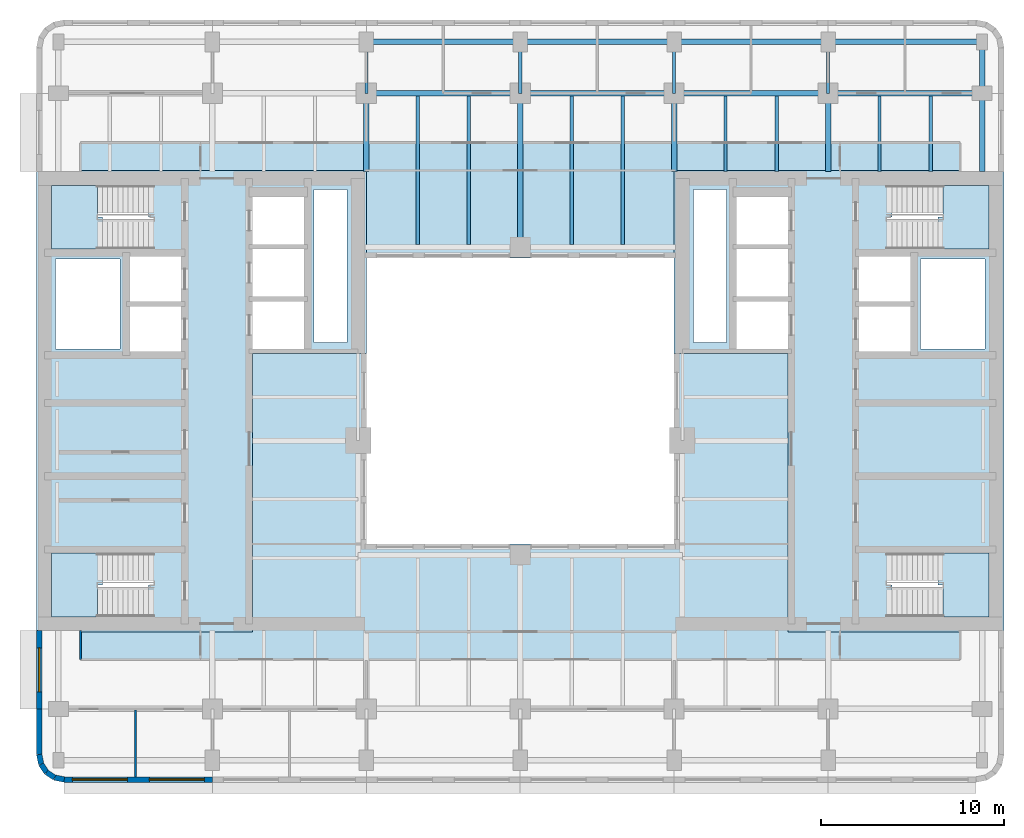
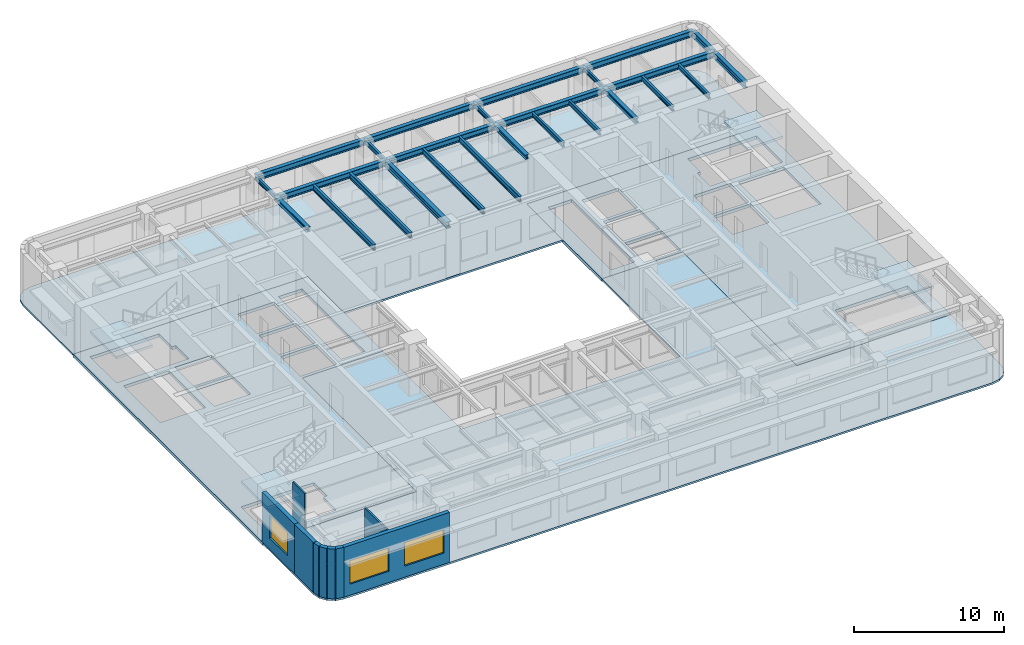
# One storey, part 2 of 11: 26 beams, 9 walls, 8 slabs, 3 windows, 3 openings, 4 elements without a shape of their own.
"""IFC4 building model written with IfcOpenShell, lengths in metres."""

from ifc_helpers import new_model, si_unit, direction, frame, frame_2d, origin, origin_2d, place, context, subcontext, project, spatial, polyline, rectangle, i_section, outline, extrude, material, layer, layer_set, material_profile, profile_set, type_object, element, fill, aggregate, save


model = new_model("IFC4")

# Units and contexts
model_context = context("Model", 3, precision=1e-05, world=origin(), true_north=direction((0.0, 1.0)))
body_context = subcontext(model_context, "Body", "Model", "MODEL_VIEW")
ifc_project = project(units=[si_unit("LENGTHUNIT", "METRE"), si_unit("AREAUNIT", "SQUARE_METRE"), si_unit("VOLUMEUNIT", "CUBIC_METRE"), si_unit("PLANEANGLEUNIT", "RADIAN"), si_unit("MASSUNIT", "GRAM", prefix="KILO")], contexts=[model_context])

# Site, building, storey
site_placement = place(None, origin())
site = spatial("IfcSite", under=ifc_project, at=site_placement, CompositionType="ELEMENT")
building_placement = place(site_placement, origin())
building = spatial("IfcBuilding", under=site, at=building_placement, Name="Claustro Exchange Tower", CompositionType="ELEMENT")
storey_placement = place(building_placement, frame((0.0, 0.0, 207.0)))
storey = spatial("IfcBuildingStorey", under=building, at=storey_placement, Name="L47", CompositionType="ELEMENT", Elevation=207.0)

# Beams
ifc_material_1 = material(Name="Steel S355", Category="steel")
ifc_material_profile_1 = material_profile(ifc_material_1, i_section(OverallWidth=0.169921875, OverallDepth=0.360107421875, WebThickness=0.008056640625, FlangeThickness=0.0126953125, FilletRadius=0.01806640625, at=origin_2d()), Name="IPE 360")
ifc_profile_set_1 = profile_set([ifc_material_profile_1], Name="Steel S355")
beam_type_1 = type_object("IfcBeamType", Name="B16 IPE 360 short-span beam", PredefinedType="BEAM", material=ifc_profile_set_1)
for number, where, z_axis, x_axis, name in (
    (1, (16.800048828125, 42.0, 3.8701171875), (0.0, 1.0, 0.0), (-1.0, 0.0, 0.0), "Beam B16 L48"),
    (2, (25.199951171875, 42.0, 3.8701171875), (0.0, 1.0, 0.0), (-1.0, 0.0, 0.0), "Beam B16 L48"),
    (3, (33.60009765625, 42.0, 3.8701171875), (0.0, 1.0, 0.0), (-1.0, 0.0, 0.0), "Beam B16 L48"),
    (4, (42.0, 42.0, 3.8701171875), (0.0, 1.0, 0.0), (-1.0, 0.0, 0.0), "Beam B16 L48"),
):
    element("IfcBeam", number, at=place(storey_placement, frame(where, z_axis=z_axis, x_axis=x_axis)), inside=storey, type_object=beam_type_1, Name=name, PredefinedType="BEAM", context=body_context, shape_type="SweptSolid", body=[
        extrude(i_section(OverallWidth=0.169921875, OverallDepth=0.360107421875, WebThickness=0.008056640625, FlangeThickness=0.0126953125, FilletRadius=0.01806640625, at=origin_2d()), origin(), (0.0, 0.0, 1.0), 2.800048828125),
    ])
for number, where, z_axis, x_axis, name in (
    (5, (36.39990234375, 37.72509765625, 3.8701171875), (0.0, 1.0, 0.0), (-1.0, 0.0, 0.0), "Beam B16 L48"),
    (6, (39.199951171875, 37.72509765625, 3.8701171875), (0.0, 1.0, 0.0), (-1.0, 0.0, 0.0), "Beam B16 L48"),
    (7, (44.800048828125, 37.72509765625, 3.8701171875), (0.0, 1.0, 0.0), (-1.0, 0.0, 0.0), "Beam B16 L48"),
    (8, (47.60009765625, 37.72509765625, 3.8701171875), (0.0, 1.0, 0.0), (-1.0, 0.0, 0.0), "Beam B16 L48"),
):
    element("IfcBeam", number, at=place(storey_placement, frame(where, z_axis=z_axis, x_axis=x_axis)), inside=storey, type_object=beam_type_1, Name=name, PredefinedType="BEAM", context=body_context, shape_type="SweptSolid", body=[
        extrude(i_section(OverallWidth=0.169921875, OverallDepth=0.360107421875, WebThickness=0.008056640625, FlangeThickness=0.0126953125, FilletRadius=0.01806640625, at=origin_2d()), origin(), (0.0, 0.0, 1.0), 4.125),
    ])
ifc_material_2 = material(Name="Steel S355", Category="steel")
ifc_material_profile_2 = material_profile(ifc_material_2, i_section(OverallWidth=0.300048828125, OverallDepth=0.360107421875, WebThickness=0.012451171875, FlangeThickness=0.0224609375, FilletRadius=0.027099609375, at=origin_2d()), Name="HE 360 B")
ifc_profile_set_2 = profile_set([ifc_material_profile_2], Name="Steel S355")
beam_type_2 = type_object("IfcBeamType", Name="B29 HE 360 B column to core link beam", PredefinedType="BEAM", material=ifc_profile_set_2)
for number, where, z_axis, x_axis, name in (
    (9, (16.800048828125, 37.72509765625, 3.8701171875), (0.0, 1.0, 0.0), (-1.0, 0.0, 0.0), "Beam B29 L48"),
    (10, (33.60009765625, 37.72509765625, 3.8701171875), (0.0, 1.0, 0.0), (-1.0, 0.0, 0.0), "Beam B29 L48"),
    (11, (42.0, 37.72509765625, 3.8701171875), (0.0, 1.0, 0.0), (-1.0, 0.0, 0.0), "Beam B29 L48"),
):
    element("IfcBeam", number, at=place(storey_placement, frame(where, z_axis=z_axis, x_axis=x_axis)), inside=storey, type_object=beam_type_2, Name=name, PredefinedType="BEAM", context=body_context, shape_type="SweptSolid", body=[
        extrude(i_section(OverallWidth=0.300048828125, OverallDepth=0.360107421875, WebThickness=0.012451171875, FlangeThickness=0.0224609375, FilletRadius=0.027099609375, at=origin_2d()), origin(), (0.0, 0.0, 1.0), 4.27490234375),
    ])
ifc_material_3 = material(Name="Steel S355", Category="steel")
ifc_material_profile_3 = material_profile(ifc_material_3, i_section(OverallWidth=0.300048828125, OverallDepth=0.5, WebThickness=0.014404296875, FlangeThickness=0.028076171875, FilletRadius=0.027099609375, at=origin_2d()), Name="HE 500 B")
ifc_profile_set_3 = profile_set([ifc_material_profile_3], Name="Steel S355")
beam_type_3 = type_object("IfcBeamType", Name="B7 HE 500 B floor girder", PredefinedType="BEAM", material=ifc_profile_set_3)
for number, where, z_axis, x_axis, name in (
    (12, (25.199951171875, 33.60009765625, 3.800048828125), (0.0, 1.0, 0.0), (-1.0, 0.0, 0.0), "Beam B7 L48"),
    (13, (16.800048828125, 42.0, 3.800048828125), (1.0, 0.0, 0.0), (0.0, 1.0, 0.0), "Beam B7 L48"),
):
    element("IfcBeam", number, at=place(storey_placement, frame(where, z_axis=z_axis, x_axis=x_axis)), inside=storey, type_object=beam_type_3, Name=name, PredefinedType="BEAM", context=body_context, shape_type="SweptSolid", body=[
        extrude(i_section(OverallWidth=0.300048828125, OverallDepth=0.5, WebThickness=0.014404296875, FlangeThickness=0.028076171875, FilletRadius=0.027099609375, at=origin_2d()), origin(), (0.0, 0.0, 1.0), 8.39990234375),
    ])
beam_1_placement = place(storey_placement, frame((25.199951171875, 42.0, 3.800048828125), z_axis=(1.0, 0.0, 0.0), x_axis=(0.0, 1.0, 0.0)))
element("IfcBeam", 14, at=beam_1_placement, inside=storey, type_object=beam_type_3, Name="Beam B7 L48", PredefinedType="BEAM", context=body_context, shape_type="SweptSolid", body=[
    extrude(i_section(OverallWidth=0.300048828125, OverallDepth=0.5, WebThickness=0.014404296875, FlangeThickness=0.028076171875, FilletRadius=0.027099609375, at=origin_2d()), origin(), (0.0, 0.0, 1.0), 8.400146484375),
])
for number, where, z_axis, x_axis, name in (
    (15, (33.60009765625, 42.0, 3.800048828125), (1.0, 0.0, 0.0), (0.0, 1.0, 0.0), "Beam B7 L48"),
    (16, (42.0, 42.0, 3.800048828125), (1.0, 0.0, 0.0), (0.0, 1.0, 0.0), "Beam B7 L48"),
):
    element("IfcBeam", number, at=place(storey_placement, frame(where, z_axis=z_axis, x_axis=x_axis)), inside=storey, type_object=beam_type_3, Name=name, PredefinedType="BEAM", context=body_context, shape_type="SweptSolid", body=[
        extrude(i_section(OverallWidth=0.300048828125, OverallDepth=0.5, WebThickness=0.014404296875, FlangeThickness=0.028076171875, FilletRadius=0.027099609375, at=origin_2d()), origin(), (0.0, 0.0, 1.0), 8.39990234375),
    ])
ifc_material_4 = material(Name="Steel S355", Category="steel")
ifc_material_profile_4 = material_profile(ifc_material_4, i_section(OverallWidth=0.18994140625, OverallDepth=0.449951171875, WebThickness=0.009521484375, FlangeThickness=0.0146484375, FilletRadius=0.02099609375, at=origin_2d()), Name="IPE 450")
ifc_profile_set_4 = profile_set([ifc_material_profile_4], Name="Steel S355")
beam_type_4 = type_object("IfcBeamType", Name="B8 IPE 450 secondary beam", PredefinedType="BEAM", material=ifc_profile_set_4)
for number, where, z_axis, x_axis, name in (
    (17, (19.60009765625, 33.75, 3.824951171875), (0.0, 1.0, 0.0), (-1.0, 0.0, 0.0), "Beam B8 L48"),
    (18, (22.39990234375, 33.75, 3.824951171875), (0.0, 1.0, 0.0), (-1.0, 0.0, 0.0), "Beam B8 L48"),
    (19, (28.0, 33.75, 3.824951171875), (0.0, 1.0, 0.0), (-1.0, 0.0, 0.0), "Beam B8 L48"),
    (20, (30.800048828125, 33.75, 3.824951171875), (0.0, 1.0, 0.0), (-1.0, 0.0, 0.0), "Beam B8 L48"),
):
    element("IfcBeam", number, at=place(storey_placement, frame(where, z_axis=z_axis, x_axis=x_axis)), inside=storey, type_object=beam_type_4, Name=name, PredefinedType="BEAM", context=body_context, shape_type="SweptSolid", body=[
        extrude(i_section(OverallWidth=0.18994140625, OverallDepth=0.449951171875, WebThickness=0.009521484375, FlangeThickness=0.0146484375, FilletRadius=0.02099609375, at=origin_2d()), origin(), (0.0, 0.0, 1.0), 8.10009765625),
    ])
ifc_material_5 = material(Name="Steel S355", Category="steel")
ifc_material_profile_5 = material_profile(ifc_material_5, i_section(OverallWidth=0.300048828125, OverallDepth=0.489990234375, WebThickness=0.011962890625, FlangeThickness=0.02294921875, FilletRadius=0.027099609375, at=origin_2d()), Name="HE 500 A")
ifc_profile_set_5 = profile_set([ifc_material_profile_5], Name="Steel S355")
beam_type_5 = type_object("IfcBeamType", Name="B9 HE 500 A spandrel edge girder", PredefinedType="SPANDREL", material=ifc_profile_set_5)
beam_2_placement = place(storey_placement, frame((50.39990234375, 37.72509765625, 3.804931640625), z_axis=(0.0, 1.0, 0.0), x_axis=(-1.0, 0.0, 0.0)))
element("IfcBeam", 21, at=beam_2_placement, inside=storey, type_object=beam_type_5, Name="Beam B9 L48", PredefinedType="SPANDREL", context=body_context, shape_type="SweptSolid", body=[
    extrude(i_section(OverallWidth=0.300048828125, OverallDepth=0.489990234375, WebThickness=0.011962890625, FlangeThickness=0.02294921875, FilletRadius=0.027099609375, at=origin_2d()), origin(), (0.0, 0.0, 1.0), 4.27490234375),
])
beam_3_placement = place(storey_placement, frame((50.39990234375, 42.0, 3.804931640625), z_axis=(0.0, 1.0, 0.0), x_axis=(-1.0, 0.0, 0.0)))
element("IfcBeam", 22, at=beam_3_placement, inside=storey, type_object=beam_type_5, Name="Beam B9 L48", PredefinedType="SPANDREL", context=body_context, shape_type="SweptSolid", body=[
    extrude(i_section(OverallWidth=0.300048828125, OverallDepth=0.489990234375, WebThickness=0.011962890625, FlangeThickness=0.02294921875, FilletRadius=0.027099609375, at=origin_2d()), origin(), (0.0, 0.0, 1.0), 2.800048828125),
])
beam_4_placement = place(storey_placement, frame((16.800048828125, 44.800048828125, 3.804931640625), z_axis=(1.0, 0.0, 0.0), x_axis=(0.0, 1.0, 0.0)))
element("IfcBeam", 23, at=beam_4_placement, inside=storey, type_object=beam_type_5, Name="Beam B9 L48", PredefinedType="SPANDREL", context=body_context, shape_type="SweptSolid", body=[
    extrude(i_section(OverallWidth=0.300048828125, OverallDepth=0.489990234375, WebThickness=0.011962890625, FlangeThickness=0.02294921875, FilletRadius=0.027099609375, at=origin_2d()), origin(), (0.0, 0.0, 1.0), 8.39990234375),
])
beam_5_placement = place(storey_placement, frame((25.199951171875, 44.800048828125, 3.804931640625), z_axis=(1.0, 0.0, 0.0), x_axis=(0.0, 1.0, 0.0)))
element("IfcBeam", 24, at=beam_5_placement, inside=storey, type_object=beam_type_5, Name="Beam B9 L48", PredefinedType="SPANDREL", context=body_context, shape_type="SweptSolid", body=[
    extrude(i_section(OverallWidth=0.300048828125, OverallDepth=0.489990234375, WebThickness=0.011962890625, FlangeThickness=0.02294921875, FilletRadius=0.027099609375, at=origin_2d()), origin(), (0.0, 0.0, 1.0), 8.400146484375),
])
for number, where, z_axis, x_axis, name in (
    (25, (33.60009765625, 44.800048828125, 3.804931640625), (1.0, 0.0, 0.0), (0.0, 1.0, 0.0), "Beam B9 L48"),
    (26, (42.0, 44.800048828125, 3.804931640625), (1.0, 0.0, 0.0), (0.0, 1.0, 0.0), "Beam B9 L48"),
):
    element("IfcBeam", number, at=place(storey_placement, frame(where, z_axis=z_axis, x_axis=x_axis)), inside=storey, type_object=beam_type_5, Name=name, PredefinedType="SPANDREL", context=body_context, shape_type="SweptSolid", body=[
        extrude(i_section(OverallWidth=0.300048828125, OverallDepth=0.489990234375, WebThickness=0.011962890625, FlangeThickness=0.02294921875, FilletRadius=0.027099609375, at=origin_2d()), origin(), (0.0, 0.0, 1.0), 8.39990234375),
    ])

# Slabs
ifc_material_6 = material(Name="Concrete HA-50 (C50/60)", Category="concrete")
ifc_layer_1 = layer(ifc_material_6, 0.14990234375)
ifc_layer_set_1 = layer_set([ifc_layer_1], Name="Concrete HA-50 (C50/60)")
slab_type_1 = type_object("IfcSlabType", Name="S2 150 composite floor slab", PredefinedType="FLOOR", material=ifc_layer_set_1)
slab_1_placement = place(storey_placement, frame((0.0, 0.0, -0.14990234375)))
element("IfcSlab", 27, at=slab_1_placement, inside=storey, type_object=slab_type_1, Name="Floor slab S2 S L47", PredefinedType="FLOOR", context=body_context, shape_type="SweptSolid", body=[
    extrude(outline(polyline([(-0.27392578125, 4.51416015625), (0.300048828125, 4.39990234375), (50.10009765625, 4.39990234375), (50.674072265625, 4.51416015625), (51.16064453125, 4.83935546875), (51.48583984375, 5.325927734375), (51.60009765625, 5.89990234375), (51.60009765625, 12.60009765625), (39.800048828125, 12.60009765625), (39.800048828125, 27.800048828125), (33.60009765625, 27.800048828125), (33.60009765625, 17.39990234375), (16.800048828125, 17.39990234375), (16.800048828125, 27.800048828125), (10.60009765625, 27.800048828125), (10.60009765625, 12.60009765625), (-1.199951171875, 12.60009765625), (-1.199951171875, 5.89990234375), (-1.085693359375, 5.325927734375), (-0.7607421875, 4.83935546875), (-0.27392578125, 4.51416015625)])), origin(), (0.0, 0.0, 1.0), 0.14990234375),
])
slab_2_placement = place(storey_placement, frame((0.0, 0.0, -0.14990234375)))
element("IfcSlab", 28, at=slab_2_placement, inside=storey, type_object=slab_type_1, Name="Floor slab S2 N L47", PredefinedType="FLOOR", context=body_context, shape_type="SweptSolid", body=[
    extrude(outline(polyline([(16.800048828125, 37.800048828125), (16.800048828125, 33.0), (33.60009765625, 33.0), (33.60009765625, 37.800048828125), (51.60009765625, 37.800048828125), (51.60009765625, 44.5), (51.48583984375, 45.073974609375), (51.16064453125, 45.560791015625), (50.674072265625, 45.8857421875), (50.10009765625, 46.0), (0.300048828125, 46.0), (-0.27392578125, 45.8857421875), (-0.7607421875, 45.560791015625), (-1.085693359375, 45.073974609375), (-1.199951171875, 44.5), (-1.199951171875, 37.800048828125), (16.800048828125, 37.800048828125)])), origin(), (0.0, 0.0, 1.0), 0.14990234375),
])
ifc_material_7 = material(Name="Concrete HA-50 (C50/60)", Category="concrete")
ifc_layer_2 = layer(ifc_material_7, 0.25)
ifc_layer_set_2 = layer_set([ifc_layer_2], Name="Concrete HA-50 (C50/60)")
slab_type_2 = type_object("IfcSlabType", Name="S7 250 core floor slab", PredefinedType="FLOOR", material=ifc_layer_set_2)
slab_3_placement = place(storey_placement, frame((0.0, 0.0, -0.25)))
element("IfcSlab", 29, at=slab_3_placement, inside=storey, type_object=slab_type_2, Name="Core floor slab S7 W core L47", PredefinedType="FLOOR", context=body_context, shape_type="SweptSolid", body=[
    extrude(outline(polyline([(-1.199951171875, 37.800048828125), (-1.199951171875, 12.60009765625), (10.60009765625, 12.60009765625), (10.60009765625, 27.800048828125), (16.800048828125, 27.800048828125), (16.800048828125, 37.800048828125), (-1.199951171875, 37.800048828125)]), holes=[polyline([(13.949951171875, 36.75), (15.75, 36.75), (15.75, 28.39990234375), (13.949951171875, 28.39990234375), (13.949951171875, 36.75)]), polyline([(10.60009765625, 30.64990234375), (13.39990234375, 30.64990234375), (13.39990234375, 28.050048828125), (10.60009765625, 28.050048828125), (10.60009765625, 30.64990234375)]), polyline([(10.60009765625, 33.5), (13.39990234375, 33.5), (13.39990234375, 30.89990234375), (10.60009765625, 30.89990234375), (10.60009765625, 33.5)]), polyline([(13.39990234375, 36.35009765625), (13.39990234375, 33.75), (10.60009765625, 33.75), (10.60009765625, 36.35009765625), (13.39990234375, 36.35009765625)]), polyline([(3.89990234375, 30.375), (6.699951171875, 30.375), (6.699951171875, 27.89990234375), (3.89990234375, 27.89990234375), (3.89990234375, 30.375)]), polyline([(3.89990234375, 33.10009765625), (6.699951171875, 33.10009765625), (6.699951171875, 30.625), (3.89990234375, 30.625), (3.89990234375, 33.10009765625)]), polyline([(-0.375, 15.16259765625), (-0.375, 16.89990234375), (5.195068359375, 16.89990234375), (5.195068359375, 15.16259765625), (4.919921875, 15.16259765625), (4.919921875, 13.425048828125), (-0.375, 13.425048828125), (-0.375, 15.16259765625)]), polyline([(-0.375, 35.237548828125), (-0.375, 36.97509765625), (4.919921875, 36.97509765625), (4.919921875, 35.237548828125), (5.195068359375, 35.237548828125), (5.195068359375, 33.5), (-0.375, 33.5), (-0.375, 35.237548828125)]), polyline([(-0.14990234375, 32.949951171875), (3.35009765625, 32.949951171875), (3.35009765625, 28.050048828125), (-0.14990234375, 28.050048828125), (-0.14990234375, 32.949951171875)])]), origin(), (0.0, 0.0, 1.0), 0.25),
])
slab_4_placement = place(storey_placement, frame((0.0, 0.0, -0.25)))
element("IfcSlab", 30, at=slab_4_placement, inside=storey, type_object=slab_type_2, Name="Core floor slab S7 E core L47", PredefinedType="FLOOR", context=body_context, shape_type="SweptSolid", body=[
    extrude(outline(polyline([(51.60009765625, 37.800048828125), (33.60009765625, 37.800048828125), (33.60009765625, 27.800048828125), (39.800048828125, 27.800048828125), (39.800048828125, 12.60009765625), (51.60009765625, 12.60009765625), (51.60009765625, 37.800048828125)]), holes=[polyline([(45.47998046875, 15.16259765625), (45.205078125, 15.16259765625), (45.205078125, 16.89990234375), (50.77490234375, 16.89990234375), (50.77490234375, 15.16259765625), (50.77490234375, 13.425048828125), (45.47998046875, 13.425048828125), (45.47998046875, 15.16259765625)]), polyline([(45.47998046875, 35.237548828125), (45.47998046875, 36.97509765625), (50.77490234375, 36.97509765625), (50.77490234375, 35.237548828125), (50.77490234375, 33.5), (45.205078125, 33.5), (45.205078125, 35.237548828125), (45.47998046875, 35.237548828125)]), polyline([(47.050048828125, 32.949951171875), (50.550048828125, 32.949951171875), (50.550048828125, 28.050048828125), (47.050048828125, 28.050048828125), (47.050048828125, 32.949951171875)]), polyline([(43.699951171875, 30.375), (46.5, 30.375), (46.5, 27.89990234375), (43.699951171875, 27.89990234375), (43.699951171875, 30.375)]), polyline([(43.699951171875, 33.10009765625), (46.5, 33.10009765625), (46.5, 30.625), (43.699951171875, 30.625), (43.699951171875, 33.10009765625)]), polyline([(37.0, 30.64990234375), (39.800048828125, 30.64990234375), (39.800048828125, 28.050048828125), (37.0, 28.050048828125), (37.0, 30.64990234375)]), polyline([(37.0, 33.5), (39.800048828125, 33.5), (39.800048828125, 30.89990234375), (37.0, 30.89990234375), (37.0, 33.5)]), polyline([(39.800048828125, 36.35009765625), (39.800048828125, 33.75), (37.0, 33.75), (37.0, 36.35009765625), (39.800048828125, 36.35009765625)]), polyline([(34.64990234375, 36.75), (36.449951171875, 36.75), (36.449951171875, 28.39990234375), (34.64990234375, 28.39990234375), (34.64990234375, 36.75)])]), origin(), (0.0, 0.0, 1.0), 0.25),
])

# Stair, slab
ifc_material_8 = material(Name="Concrete HA-30 (C30/37), precast", Category="concrete")
stair_type = type_object("IfcStairType", Name="ST1 half-turn stair, 24 risers of 175", PredefinedType="HALF_TURN_STAIR", material=ifc_material_8)
stair_1_placement = place(storey_placement, origin())
stair_1 = element("IfcStair", 31, at=stair_1_placement, inside=storey, type_object=stair_type, Name="Stair STWA L47", PredefinedType="HALF_TURN_STAIR")
ifc_material_9 = material(Name="Concrete HA-30 (C30/37), precast", Category="concrete")
ifc_layer_3 = layer(ifc_material_9, 0.199951171875)
ifc_layer_set_3 = layer_set([ifc_layer_3], Name="Concrete HA-30 (C30/37), precast")
slab_type_3 = type_object("IfcSlabType", Name="S9 200 stair landing", PredefinedType="LANDING", material=ifc_layer_set_3)
slab_5_placement = place(storey_placement, frame((0.0, 0.0, 1.89990234375)))
slab_5 = element("IfcSlab", 32, at=slab_5_placement, type_object=slab_type_3, Name="STWA landing 1", PredefinedType="LANDING", context=body_context, shape_type="SweptSolid", body=[
    extrude(outline(polyline([(2.125, 13.425048828125), (-0.375, 13.425048828125), (-0.375, 16.89990234375), (2.1201171875, 16.89990234375), (2.125, 16.89990234375), (2.39990234375, 16.89990234375), (2.39990234375, 15.16259765625), (2.125, 15.16259765625), (2.125, 13.425048828125)])), origin(), (0.0, 0.0, 1.0), 0.2001953125),
])
aggregate(stair_1, [slab_5])

stair_2_placement = place(storey_placement, origin())
stair_2 = element("IfcStair", 33, at=stair_2_placement, inside=storey, type_object=stair_type, Name="Stair STWB L47", PredefinedType="HALF_TURN_STAIR")
slab_6_placement = place(storey_placement, frame((0.0, 0.0, 1.89990234375)))
slab_6 = element("IfcSlab", 34, at=slab_6_placement, type_object=slab_type_3, Name="STWB landing 1", PredefinedType="LANDING", context=body_context, shape_type="SweptSolid", body=[
    extrude(outline(polyline([(2.39990234375, 35.237548828125), (2.39990234375, 33.5), (2.125, 33.5), (2.1201171875, 33.5), (-0.375, 33.5), (-0.375, 36.97509765625), (2.125, 36.97509765625), (2.125, 35.237548828125), (2.39990234375, 35.237548828125)])), origin(), (0.0, 0.0, 1.0), 0.2001953125),
])
aggregate(stair_2, [slab_6])

stair_3_placement = place(storey_placement, origin())
stair_3 = element("IfcStair", 35, at=stair_3_placement, inside=storey, type_object=stair_type, Name="Stair STEA L47", PredefinedType="HALF_TURN_STAIR")
slab_7_placement = place(storey_placement, frame((0.0, 0.0, 1.89990234375)))
slab_7 = element("IfcSlab", 36, at=slab_7_placement, type_object=slab_type_3, Name="STEA landing 1", PredefinedType="LANDING", context=body_context, shape_type="SweptSolid", body=[
    extrude(outline(polyline([(50.77490234375, 16.89990234375), (50.77490234375, 13.425048828125), (48.27490234375, 13.425048828125), (48.27490234375, 15.16259765625), (48.0, 15.16259765625), (48.0, 16.89990234375), (48.27490234375, 16.89990234375), (48.280029296875, 16.89990234375), (50.77490234375, 16.89990234375)])), origin(), (0.0, 0.0, 1.0), 0.2001953125),
])
aggregate(stair_3, [slab_7])

stair_4_placement = place(storey_placement, origin())
stair_4 = element("IfcStair", 37, at=stair_4_placement, inside=storey, type_object=stair_type, Name="Stair STEB L47", PredefinedType="HALF_TURN_STAIR")
slab_8_placement = place(storey_placement, frame((0.0, 0.0, 1.89990234375)))
slab_8 = element("IfcSlab", 38, at=slab_8_placement, type_object=slab_type_3, Name="STEB landing 1", PredefinedType="LANDING", context=body_context, shape_type="SweptSolid", body=[
    extrude(outline(polyline([(48.0, 33.5), (48.0, 35.237548828125), (48.27490234375, 35.237548828125), (48.27490234375, 36.97509765625), (50.77490234375, 36.97509765625), (50.77490234375, 33.5), (48.280029296875, 33.5), (48.27490234375, 33.5), (48.0, 33.5)])), origin(), (0.0, 0.0, 1.0), 0.2001953125),
])
aggregate(stair_4, [slab_8])

# Walls
ifc_material_10 = material(Name="Laminated glass in aluminium frame", Category="aluminium")
ifc_layer_4 = layer(ifc_material_10, 0.1201171875)
ifc_layer_set_4 = layer_set([ifc_layer_4], Name="Laminated glass in aluminium frame")
wall_type_1 = type_object("IfcWallType", Name="P2 120 glazed partition", PredefinedType="PARTITIONING", material=ifc_layer_set_4)
wall_1_placement = place(storey_placement, frame((4.199951171875, 4.699951171875, 0.0), z_axis=(0.0, 0.0, 1.0), x_axis=(0.0, 1.0, 0.0)))
element("IfcWall", 39, at=wall_1_placement, inside=storey, type_object=wall_type_1, Name="Partition P2 L47", PredefinedType="PARTITIONING", context=body_context, shape_type="SweptSolid", body=[
    extrude(rectangle(XDim=3.64208984375, YDim=0.1201171875, at=frame_2d((1.821044921875, 0.0))), origin(), (0.0, 0.0, 1.0), 3.550048828125),
])
wall_2_placement = place(storey_placement, frame((1.199951171875, 11.10009765625, 0.0), z_axis=(0.0, 0.0, 1.0), x_axis=(0.0, 1.0, 0.0)))
element("IfcWall", 40, at=wall_2_placement, inside=storey, type_object=wall_type_1, Name="Partition P2 L47", PredefinedType="PARTITIONING", context=body_context, shape_type="SweptSolid", body=[
    extrude(rectangle(XDim=1.575927734375, YDim=0.1201171875, at=frame_2d((0.7880859375, 0.0))), origin(), (0.0, 0.0, 1.0), 4.050048828125),
])

# Wall, openings, windows
ifc_material_11 = material(Name="Concrete HA-40 (C40/50), precast, white cement, acid-etched", Category="concrete")
ifc_layer_5 = layer(ifc_material_11, 0.300048828125)
ifc_layer_set_5 = layer_set([ifc_layer_5], Name="Concrete HA-40 (C40/50), precast, white cement, acid-etched")
wall_type_2 = type_object("IfcWallType", Name="PC1 300 precast concrete pier panel", PredefinedType="SOLIDWALL", material=ifc_layer_set_5)
wall_3_placement = place(storey_placement, frame((8.39990234375, 4.550048828125, 0.0), z_axis=(0.0, 0.0, 1.0), x_axis=(-1.0, 0.0, 0.0)))
wall_3 = element("IfcWall", 41, at=wall_3_placement, inside=storey, type_object=wall_type_2, Name="Precast pier panel PC1 L47", PredefinedType="SOLIDWALL", context=body_context, shape_type="SweptSolid", body=[
    extrude(rectangle(XDim=8.085205078125, YDim=0.300048828125, at=frame_2d((4.04248046875, 0.0))), origin(), (0.0, 0.0, 1.0), 4.050048828125),
])
opening_1_placement = place(wall_3_placement, frame((0.442626953125, 0.0, 0.89990234375)))
opening_1 = element("IfcOpeningElement", 42, at=opening_1_placement, cuts=wall_3, Name="Opening W1", PredefinedType="OPENING", context=body_context, shape_type="SweptSolid", body=[
    extrude(rectangle(XDim=3.0, YDim=1.89990234375, at=frame_2d((1.5, 0.949951171875))), frame((0.0, 0.159912109375, 0.0), z_axis=(0.0, -1.0, 0.0), x_axis=(1.0, 0.0, 0.0)), (0.0, 0.0, 1.0), 0.320068359375),
])
opening_2_placement = place(wall_3_placement, frame((4.642578125, 0.0, 0.89990234375)))
opening_2 = element("IfcOpeningElement", 43, at=opening_2_placement, cuts=wall_3, Name="Opening W1", PredefinedType="OPENING", context=body_context, shape_type="SweptSolid", body=[
    extrude(rectangle(XDim=3.0, YDim=1.89990234375, at=frame_2d((1.5, 0.949951171875))), frame((0.0, 0.159912109375, 0.0), z_axis=(0.0, -1.0, 0.0), x_axis=(1.0, 0.0, 0.0)), (0.0, 0.0, 1.0), 0.320068359375),
])
ifc_material_12 = material(Name="Aluminium frame, clear double glazing", Category="aluminium")
window_type_1 = type_object("IfcWindowType", Name="W1 3000 x 1900 window", PartitioningType="SINGLE_PANEL", PredefinedType="WINDOW", material=ifc_material_12)
window_1_placement = place(opening_1_placement, origin())
window_1 = element("IfcWindow", 44, at=window_1_placement, inside=storey, type_object=window_type_1, Name="Window W1 L47", OverallHeight=1.89990234375, OverallWidth=3.0, PartitioningType="SINGLE_PANEL", PredefinedType="WINDOW", context=body_context, shape_type="SweptSolid", body=[
    extrude(rectangle(XDim=3.0, YDim=1.89990234375, at=frame_2d((1.5, 0.949951171875))), frame((0.0, 0.030029296875, 0.0), z_axis=(0.0, -1.0, 0.0), x_axis=(1.0, 0.0, 0.0)), (0.0, 0.0, 1.0), 0.06005859375),
])
fill(opening_1, window_1)
window_2_placement = place(opening_2_placement, origin())
window_2 = element("IfcWindow", 45, at=window_2_placement, inside=storey, type_object=window_type_1, Name="Window W1 L47", OverallHeight=1.89990234375, OverallWidth=3.0, PartitioningType="SINGLE_PANEL", PredefinedType="WINDOW", context=body_context, shape_type="SweptSolid", body=[
    extrude(rectangle(XDim=3.0, YDim=1.89990234375, at=frame_2d((1.5, 0.949951171875))), frame((0.0, 0.030029296875, 0.0), z_axis=(0.0, -1.0, 0.0), x_axis=(1.0, 0.0, 0.0)), (0.0, 0.0, 1.0), 0.06005859375),
])
fill(opening_2, window_2)

# Walls
wall_4_placement = place(storey_placement, frame((0.314697265625, 4.550048828125, 0.0), z_axis=(0.0, 0.0, 1.0), x_axis=(-0.980788534345, 0.195073962632, 0.0)))
element("IfcWall", 46, at=wall_4_placement, inside=storey, type_object=wall_type_2, Name="Precast pier panel PC1 L47", PredefinedType="SOLIDWALL", context=body_context, shape_type="SweptSolid", body=[
    extrude(rectangle(XDim=0.540771484375, YDim=0.300048828125, at=frame_2d((0.2705078125, 0.0))), origin(), (0.0, 0.0, 1.0), 4.050048828125),
])
for number, where, z_axis, x_axis, name in (
    (47, (-0.215576171875, 4.655517578125, 0.0), (0.0, 0.0, 1.0), (-0.831478144188, 0.555557463938, 0.0), "Precast pier panel PC1 L47"),
    (48, (-0.652587890625, 4.947509765625, 0.0), (0.0, 0.0, 1.0), (-0.555557463938, 0.831478144188, 0.0), "Precast pier panel PC1 L47"),
):
    element("IfcWall", number, at=place(storey_placement, frame(where, z_axis=z_axis, x_axis=x_axis)), inside=storey, type_object=wall_type_2, Name=name, PredefinedType="SOLIDWALL", context=body_context, shape_type="SweptSolid", body=[
        extrude(rectangle(XDim=0.525634765625, YDim=0.300048828125, at=frame_2d((0.2626953125, 0.0))), origin(), (0.0, 0.0, 1.0), 4.050048828125),
    ])
wall_5_placement = place(storey_placement, frame((-0.944580078125, 5.384521484375, 0.0), z_axis=(0.0, 0.0, 1.0), x_axis=(-0.195073962632, 0.980788534345, 0.0)))
element("IfcWall", 49, at=wall_5_placement, inside=storey, type_object=wall_type_2, Name="Precast pier panel PC1 L47", PredefinedType="SOLIDWALL", context=body_context, shape_type="SweptSolid", body=[
    extrude(rectangle(XDim=0.540771484375, YDim=0.300048828125, at=frame_2d((0.2705078125, 0.0))), origin(), (0.0, 0.0, 1.0), 4.050048828125),
])
wall_6_placement = place(storey_placement, frame((-1.050048828125, 5.914794921875, 0.0), z_axis=(0.0, 0.0, 1.0), x_axis=(0.0, 1.0, 0.0)))
element("IfcWall", 50, at=wall_6_placement, inside=storey, type_object=wall_type_2, Name="Precast pier panel PC1 L47", PredefinedType="SOLIDWALL", context=body_context, shape_type="SweptSolid", body=[
    extrude(rectangle(XDim=2.485107421875, YDim=0.300048828125, at=frame_2d((1.24267578125, 0.0))), origin(), (0.0, 0.0, 1.0), 4.050048828125),
])

# Wall, opening, window
wall_7_placement = place(storey_placement, frame((-1.050048828125, 8.39990234375, 0.0), z_axis=(0.0, 0.0, 1.0), x_axis=(0.0, 1.0, 0.0)))
wall_7 = element("IfcWall", 51, at=wall_7_placement, inside=storey, type_object=wall_type_2, Name="Precast pier panel PC1 L47", PredefinedType="SOLIDWALL", context=body_context, shape_type="SweptSolid", body=[
    extrude(rectangle(XDim=4.275146484375, YDim=0.300048828125, at=frame_2d((2.1376953125, 0.0))), origin(), (0.0, 0.0, 1.0), 4.050048828125),
])
opening_3_placement = place(wall_7_placement, frame((0.9375, 0.0, 0.89990234375)))
opening_3 = element("IfcOpeningElement", 52, at=opening_3_placement, cuts=wall_7, Name="Opening W2", PredefinedType="OPENING", context=body_context, shape_type="SweptSolid", body=[
    extrude(rectangle(XDim=2.39990234375, YDim=1.89990234375, at=frame_2d((1.199951171875, 0.949951171875))), frame((0.0, 0.159912109375, 0.0), z_axis=(0.0, -1.0, 0.0), x_axis=(1.0, 0.0, 0.0)), (0.0, 0.0, 1.0), 0.320068359375),
])
ifc_material_13 = material(Name="Aluminium frame, clear double glazing", Category="aluminium")
window_type_2 = type_object("IfcWindowType", Name="W2 2400 x 1900 window", PartitioningType="SINGLE_PANEL", PredefinedType="WINDOW", material=ifc_material_13)
window_3_placement = place(opening_3_placement, origin())
window_3 = element("IfcWindow", 53, at=window_3_placement, inside=storey, type_object=window_type_2, Name="Window W2 L47", OverallHeight=1.89990234375, OverallWidth=2.39990234375, PartitioningType="SINGLE_PANEL", PredefinedType="WINDOW", context=body_context, shape_type="SweptSolid", body=[
    extrude(rectangle(XDim=2.39990234375, YDim=1.89990234375, at=frame_2d((1.199951171875, 0.949951171875))), frame((0.0, 0.030029296875, 0.0), z_axis=(0.0, -1.0, 0.0), x_axis=(1.0, 0.0, 0.0)), (0.0, 0.0, 1.0), 0.06005859375),
])
fill(opening_3, window_3)

save(model, "model.ifc")
